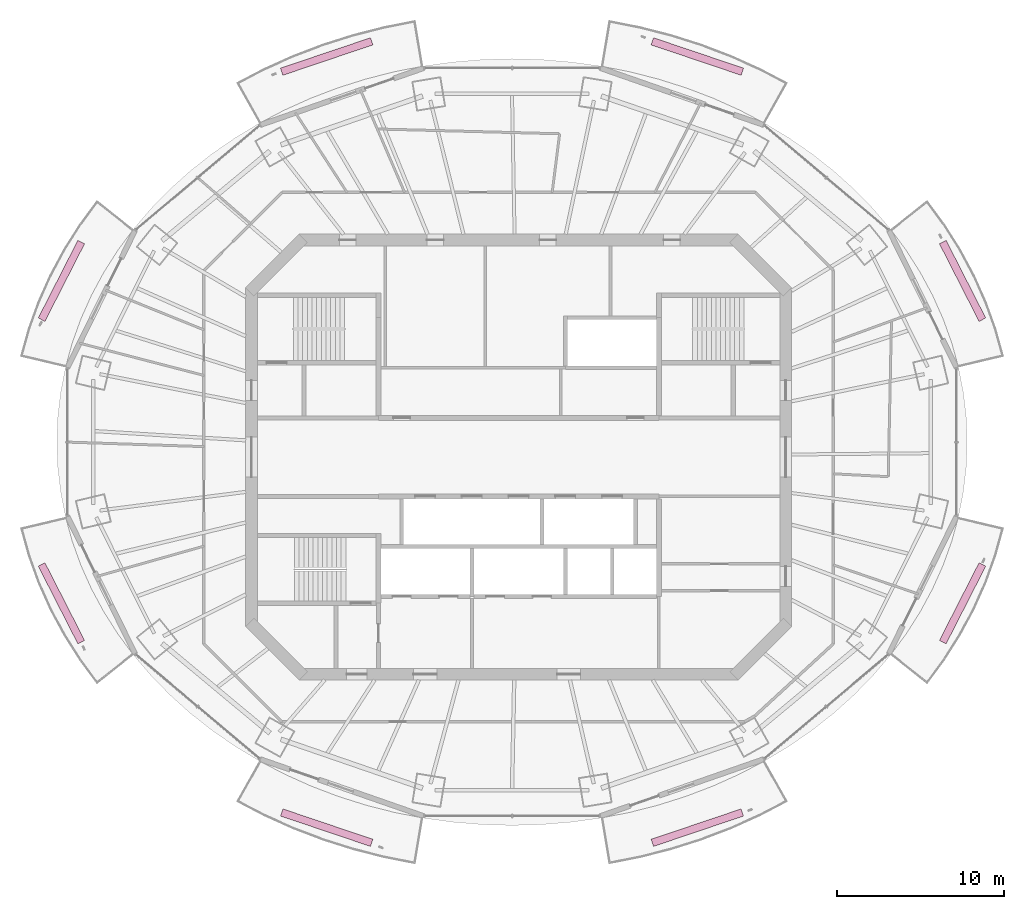
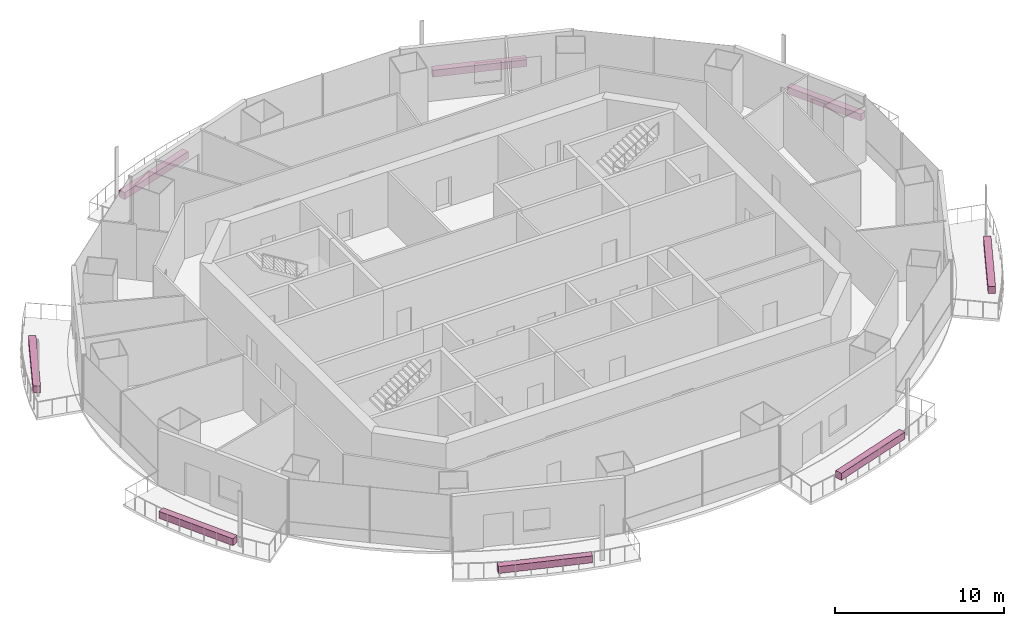
# One storey, part 16 of 16: 8 furnishings.
"""IFC4 building model written with IfcOpenShell, lengths in metres."""

from ifc_helpers import new_model, si_unit, direction, frame, origin, origin_2d, place, context, subcontext, project, spatial, rectangle, extrude, material, type_object, element, save


model = new_model("IFC4")

# Units and contexts
model_context = context("Model", 3, precision=1e-05, world=origin(), true_north=direction((0.0, 1.0)))
body_context = subcontext(model_context, "Body", "Model", "MODEL_VIEW")
ifc_project = project(units=[si_unit("LENGTHUNIT", "METRE"), si_unit("AREAUNIT", "SQUARE_METRE"), si_unit("VOLUMEUNIT", "CUBIC_METRE"), si_unit("PLANEANGLEUNIT", "RADIAN"), si_unit("MASSUNIT", "GRAM", prefix="KILO")], contexts=[model_context])

# Site, building, storey
site_placement = place(None, origin())
site = spatial("IfcSite", under=ifc_project, at=site_placement, CompositionType="ELEMENT")
building_placement = place(site_placement, origin())
building = spatial("IfcBuilding", under=site, at=building_placement, Name="Marenthal Gate Tower", CompositionType="ELEMENT")
storey_placement = place(building_placement, frame((0.0, 0.0, 342.60009765625)))
storey = spatial("IfcBuildingStorey", under=building, at=storey_placement, Name="L77", CompositionType="ELEMENT", Elevation=342.60009765625)

# Furnishings
ifc_material = material(Name="Planting soil and foliage", Category="planting")
furnishing_element_type = type_object("IfcFurnishingElementType", Name="Balcony PLANTER trough", material=ifc_material)
furnishing_1_placement = place(storey_placement, frame((26.588623046875, 10.557373046875, -0.0400390625), z_axis=(0.0, 0.0, 1.0), x_axis=(-0.454476307022, 0.890758826145, 0.0)))
element("IfcFurnishingElement", 1, at=furnishing_1_placement, inside=storey, type_object=furnishing_element_type, Name="Balcony PLANTER L77 bay 1", ObjectType="PLANTER", context=body_context, shape_type="SweptSolid", body=[
    extrude(rectangle(XDim=5.2216796875, YDim=0.449951171875, at=origin_2d()), origin(), (0.0, 0.0, 1.0), 0.5),
])
for number, where, z_axis, x_axis, name in (
    (2, (10.7001953125, 23.9951171875, -0.0400390625), (0.0, 0.0, 1.0), (-0.947479099631, 0.319817691447, 0.0), "Balcony PLANTER L77 bay 3"),
    (3, (-11.5, 23.9951171875, -0.0400390625), (0.0, 0.0, 1.0), (-0.947479099631, -0.319817691447, 0.0), "Balcony PLANTER L77 bay 5"),
):
    element("IfcFurnishingElement", number, at=place(storey_placement, frame(where, z_axis=z_axis, x_axis=x_axis)), inside=storey, type_object=furnishing_element_type, Name=name, ObjectType="PLANTER", context=body_context, shape_type="SweptSolid", body=[
        extrude(rectangle(XDim=5.68798828125, YDim=0.449951171875, at=origin_2d()), origin(), (0.0, 0.0, 1.0), 0.5),
    ])
for number, where, z_axis, x_axis, name in (
    (4, (-27.388671875, 10.557373046875, -0.0400390625), (0.0, 0.0, 1.0), (-0.454476307022, -0.890758826145, 0.0), "Balcony PLANTER L77 bay 7"),
    (5, (-27.388671875, -8.75732421875, -0.0400390625), (0.0, 0.0, 1.0), (0.454476307022, -0.890758826145, 0.0), "Balcony PLANTER L77 bay 9"),
):
    element("IfcFurnishingElement", number, at=place(storey_placement, frame(where, z_axis=z_axis, x_axis=x_axis)), inside=storey, type_object=furnishing_element_type, Name=name, ObjectType="PLANTER", context=body_context, shape_type="SweptSolid", body=[
        extrude(rectangle(XDim=5.2216796875, YDim=0.449951171875, at=origin_2d()), origin(), (0.0, 0.0, 1.0), 0.5),
    ])
for number, where, z_axis, x_axis, name in (
    (6, (-11.5, -22.195068359375, -0.0400390625), (0.0, 0.0, 1.0), (0.947479099631, -0.319817691447, 0.0), "Balcony PLANTER L77 bay 11"),
    (7, (10.7001953125, -22.195068359375, -0.0400390625), (0.0, 0.0, 1.0), (0.947479099631, 0.319817691447, 0.0), "Balcony PLANTER L77 bay 13"),
):
    element("IfcFurnishingElement", number, at=place(storey_placement, frame(where, z_axis=z_axis, x_axis=x_axis)), inside=storey, type_object=furnishing_element_type, Name=name, ObjectType="PLANTER", context=body_context, shape_type="SweptSolid", body=[
        extrude(rectangle(XDim=5.68798828125, YDim=0.449951171875, at=origin_2d()), origin(), (0.0, 0.0, 1.0), 0.5),
    ])
furnishing_2_placement = place(storey_placement, frame((26.588623046875, -8.75732421875, -0.0400390625), z_axis=(0.0, 0.0, 1.0), x_axis=(0.454476307022, 0.890758826145, 0.0)))
element("IfcFurnishingElement", 8, at=furnishing_2_placement, inside=storey, type_object=furnishing_element_type, Name="Balcony PLANTER L77 bay 15", ObjectType="PLANTER", context=body_context, shape_type="SweptSolid", body=[
    extrude(rectangle(XDim=5.2216796875, YDim=0.449951171875, at=origin_2d()), origin(), (0.0, 0.0, 1.0), 0.5),
])

save(model, "model.ifc")
